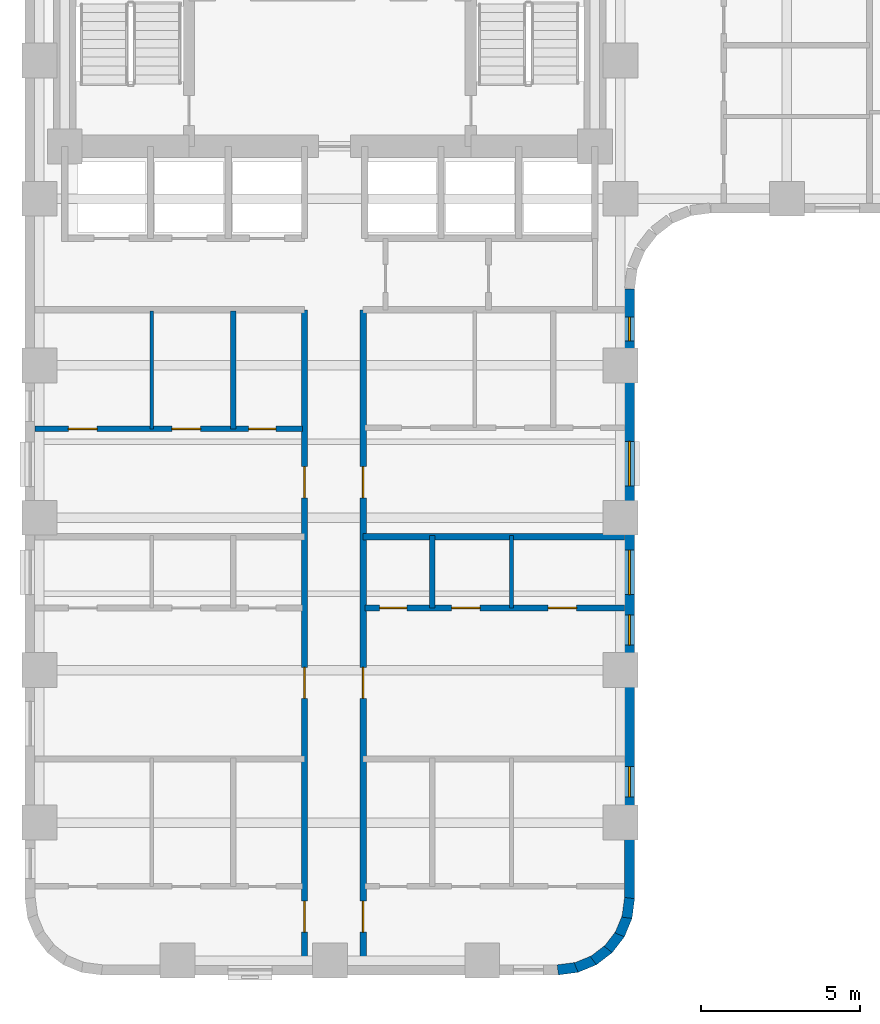
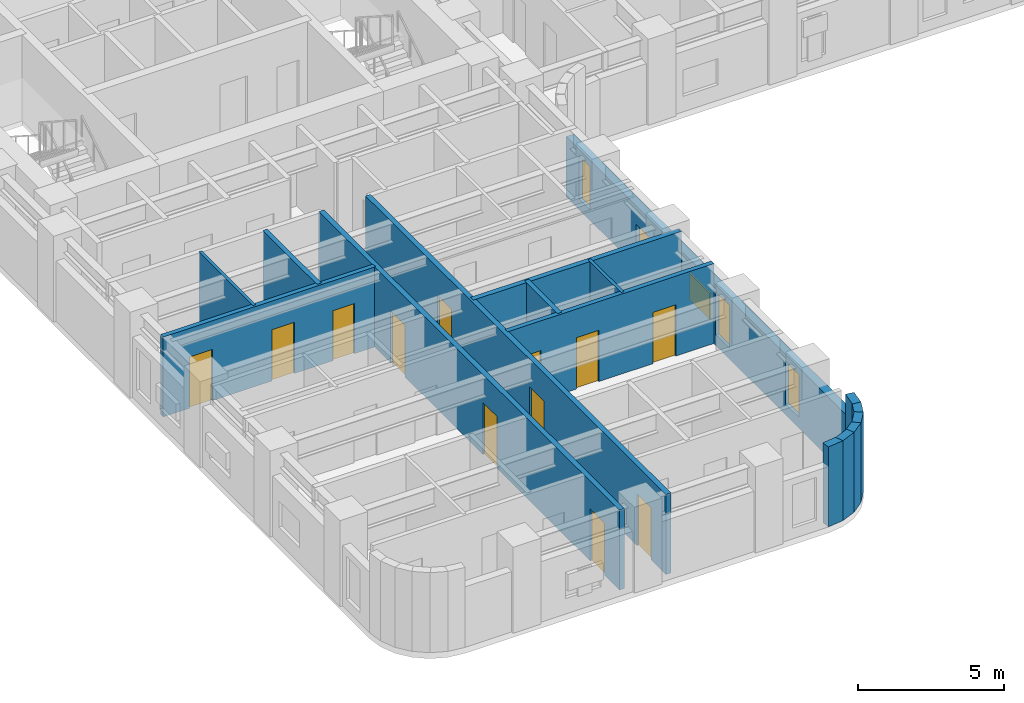
# One storey, part 3 of 11: 16 walls, 12 doors, 5 windows, 17 openings.
"""IFC4 building model written with IfcOpenShell, lengths in metres."""

from ifc_helpers import new_model, si_unit, direction, frame, frame_2d, origin, place, context, subcontext, project, spatial, rectangle, extrude, material, layer, layer_set, type_object, element, fill, save


model = new_model("IFC4")

# Units and contexts
model_context = context("Model", 3, precision=1e-05, world=origin(), true_north=direction((0.0, 1.0)))
body_context = subcontext(model_context, "Body", "Model", "MODEL_VIEW")
ifc_project = project(units=[si_unit("LENGTHUNIT", "METRE"), si_unit("AREAUNIT", "SQUARE_METRE"), si_unit("VOLUMEUNIT", "CUBIC_METRE"), si_unit("PLANEANGLEUNIT", "RADIAN"), si_unit("MASSUNIT", "GRAM", prefix="KILO")], contexts=[model_context])

# Site, building, storey
site_placement = place(None, origin())
site = spatial("IfcSite", under=ifc_project, at=site_placement, CompositionType="ELEMENT")
building_placement = place(site_placement, origin())
building = spatial("IfcBuilding", under=site, at=building_placement, Name="Orvandelia Arch Residences", CompositionType="ELEMENT")
storey_placement = place(building_placement, frame((0.0, 0.0, 25.0)))
storey = spatial("IfcBuildingStorey", under=building, at=storey_placement, Name="L05", CompositionType="ELEMENT", Elevation=25.0)

# Wall, openings, doors
ifc_material_1 = material(Name="Fire-Rated Corridor Partition")
ifc_layer_1 = layer(ifc_material_1, 0.199951171875, Name="Fire-Rated Corridor Partition")
ifc_layer_set_1 = layer_set([ifc_layer_1], Name="Fire-Rated Corridor Partition")
wall_type_1 = type_object("IfcWallType", Name="WL-CORR-200", PredefinedType="PARTITIONING", material=ifc_layer_set_1)
wall_1_placement = place(storey_placement, frame((13.60009765625, 5.1201171875, 0.0), z_axis=(0.0, 0.0, 1.0), x_axis=(0.0, 1.0, 0.0)))
wall_1 = element("IfcWall", 1, at=wall_1_placement, inside=storey, type_object=wall_type_1, Name="Interior Partition Wall WL-L05-WC-W", PredefinedType="PARTITIONING", context=body_context, shape_type="SweptSolid", body=[
    extrude(rectangle(XDim=20.6298828125, YDim=0.199951171875, at=frame_2d((10.31494140625, 0.0))), origin(), (0.0, 0.0, 1.0), 3.35009765625),
])
opening_1_placement = place(wall_1_placement, frame((1.02490234375, 0.0, 0.0)))
opening_1 = element("IfcOpeningElement", 2, at=opening_1_placement, cuts=wall_1, Name="Opening D1", PredefinedType="OPENING", context=body_context, shape_type="SweptSolid", body=[
    extrude(rectangle(XDim=0.97998046875, YDim=2.179931640625, at=frame_2d((0.489990234375, 1.08984375))), frame((0.0, 0.10986328125, 0.0), z_axis=(0.0, -1.0, 0.0), x_axis=(1.0, 0.0, 0.0)), (0.0, 0.0, 1.0), 0.219970703125),
])
opening_2_placement = place(wall_1_placement, frame((8.389892578125, 0.0, 0.0)))
opening_2 = element("IfcOpeningElement", 3, at=opening_2_placement, cuts=wall_1, Name="Opening D1", PredefinedType="OPENING", context=body_context, shape_type="SweptSolid", body=[
    extrude(rectangle(XDim=0.97998046875, YDim=2.179931640625, at=frame_2d((0.489990234375, 1.08984375))), frame((0.0, 0.10986328125, 0.0), z_axis=(0.0, -1.0, 0.0), x_axis=(1.0, 0.0, 0.0)), (0.0, 0.0, 1.0), 0.219970703125),
])
opening_3_placement = place(wall_1_placement, frame((14.7099609375, 0.0, 0.0)))
opening_3 = element("IfcOpeningElement", 4, at=opening_3_placement, cuts=wall_1, Name="Opening D1", PredefinedType="OPENING", context=body_context, shape_type="SweptSolid", body=[
    extrude(rectangle(XDim=0.97998046875, YDim=2.179931640625, at=frame_2d((0.489990234375, 1.08984375))), frame((0.0, 0.10986328125, 0.0), z_axis=(0.0, -1.0, 0.0), x_axis=(1.0, 0.0, 0.0)), (0.0, 0.0, 1.0), 0.219970703125),
])
ifc_material_2 = material(Name="Solid-Core Timber Acoustic Fire Door", Category="wood")
door_type_1 = type_object("IfcDoorType", Name="DR-ENT-980", OperationType="NOTDEFINED", PredefinedType="DOOR", material=ifc_material_2)
door_1_placement = place(opening_1_placement, origin())
door_1 = element("IfcDoor", 5, at=door_1_placement, inside=storey, type_object=door_type_1, Name="Unit L05-01 Entrance Door", OperationType="SINGLE_SWING_LEFT", OverallHeight=2.179931640625, OverallWidth=0.97998046875, PredefinedType="DOOR", context=body_context, shape_type="SweptSolid", body=[
    extrude(rectangle(XDim=0.97998046875, YDim=2.179931640625, at=frame_2d((0.489990234375, 1.08984375))), frame((0.0, 0.02490234375, 0.0), z_axis=(0.0, -1.0, 0.0), x_axis=(1.0, 0.0, 0.0)), (0.0, 0.0, 1.0), 0.050048828125),
])
fill(opening_1, door_1)
door_2_placement = place(opening_2_placement, origin())
door_2 = element("IfcDoor", 6, at=door_2_placement, inside=storey, type_object=door_type_1, Name="Unit L05-02 Entrance Door", OperationType="SINGLE_SWING_RIGHT", OverallHeight=2.179931640625, OverallWidth=0.97998046875, PredefinedType="DOOR", context=body_context, shape_type="SweptSolid", body=[
    extrude(rectangle(XDim=0.97998046875, YDim=2.179931640625, at=frame_2d((0.489990234375, 1.08984375))), frame((0.0, 0.02490234375, 0.0), z_axis=(0.0, -1.0, 0.0), x_axis=(1.0, 0.0, 0.0)), (0.0, 0.0, 1.0), 0.050048828125),
])
fill(opening_2, door_2)
door_3_placement = place(opening_3_placement, origin())
door_3 = element("IfcDoor", 7, at=door_3_placement, inside=storey, type_object=door_type_1, Name="Unit L05-03 Entrance Door", OperationType="SINGLE_SWING_LEFT", OverallHeight=2.179931640625, OverallWidth=0.97998046875, PredefinedType="DOOR", context=body_context, shape_type="SweptSolid", body=[
    extrude(rectangle(XDim=0.97998046875, YDim=2.179931640625, at=frame_2d((0.489990234375, 1.08984375))), frame((0.0, 0.02490234375, 0.0), z_axis=(0.0, -1.0, 0.0), x_axis=(1.0, 0.0, 0.0)), (0.0, 0.0, 1.0), 0.050048828125),
])
fill(opening_3, door_3)

wall_2_placement = place(storey_placement, frame((15.449951171875, 5.1201171875, 0.0), z_axis=(0.0, 0.0, 1.0), x_axis=(0.0, 1.0, 0.0)))
wall_2 = element("IfcWall", 8, at=wall_2_placement, inside=storey, type_object=wall_type_1, Name="Interior Partition Wall WL-L05-WC-E", PredefinedType="PARTITIONING", context=body_context, shape_type="SweptSolid", body=[
    extrude(rectangle(XDim=20.6298828125, YDim=0.199951171875, at=frame_2d((10.31494140625, 0.0))), origin(), (0.0, 0.0, 1.0), 3.35009765625),
])
opening_4_placement = place(wall_2_placement, frame((1.02490234375, 0.0, 0.0)))
opening_4 = element("IfcOpeningElement", 9, at=opening_4_placement, cuts=wall_2, Name="Opening D1", PredefinedType="OPENING", context=body_context, shape_type="SweptSolid", body=[
    extrude(rectangle(XDim=0.97998046875, YDim=2.179931640625, at=frame_2d((0.489990234375, 1.08984375))), frame((0.0, 0.10986328125, 0.0), z_axis=(0.0, -1.0, 0.0), x_axis=(1.0, 0.0, 0.0)), (0.0, 0.0, 1.0), 0.219970703125),
])
opening_5_placement = place(wall_2_placement, frame((8.389892578125, 0.0, 0.0)))
opening_5 = element("IfcOpeningElement", 10, at=opening_5_placement, cuts=wall_2, Name="Opening D1", PredefinedType="OPENING", context=body_context, shape_type="SweptSolid", body=[
    extrude(rectangle(XDim=0.97998046875, YDim=2.179931640625, at=frame_2d((0.489990234375, 1.08984375))), frame((0.0, 0.10986328125, 0.0), z_axis=(0.0, -1.0, 0.0), x_axis=(1.0, 0.0, 0.0)), (0.0, 0.0, 1.0), 0.219970703125),
])
opening_6_placement = place(wall_2_placement, frame((14.7099609375, 0.0, 0.0)))
opening_6 = element("IfcOpeningElement", 11, at=opening_6_placement, cuts=wall_2, Name="Opening D1", PredefinedType="OPENING", context=body_context, shape_type="SweptSolid", body=[
    extrude(rectangle(XDim=0.97998046875, YDim=2.179931640625, at=frame_2d((0.489990234375, 1.08984375))), frame((0.0, 0.10986328125, 0.0), z_axis=(0.0, -1.0, 0.0), x_axis=(1.0, 0.0, 0.0)), (0.0, 0.0, 1.0), 0.219970703125),
])
door_4_placement = place(opening_4_placement, origin())
door_4 = element("IfcDoor", 12, at=door_4_placement, inside=storey, type_object=door_type_1, Name="Unit L05-04 Entrance Door", OperationType="SINGLE_SWING_RIGHT", OverallHeight=2.179931640625, OverallWidth=0.97998046875, PredefinedType="DOOR", context=body_context, shape_type="SweptSolid", body=[
    extrude(rectangle(XDim=0.97998046875, YDim=2.179931640625, at=frame_2d((0.489990234375, 1.08984375))), frame((0.0, 0.02490234375, 0.0), z_axis=(0.0, -1.0, 0.0), x_axis=(1.0, 0.0, 0.0)), (0.0, 0.0, 1.0), 0.050048828125),
])
fill(opening_4, door_4)
door_5_placement = place(opening_5_placement, origin())
door_5 = element("IfcDoor", 13, at=door_5_placement, inside=storey, type_object=door_type_1, Name="Unit L05-05 Entrance Door", OperationType="SINGLE_SWING_LEFT", OverallHeight=2.179931640625, OverallWidth=0.97998046875, PredefinedType="DOOR", context=body_context, shape_type="SweptSolid", body=[
    extrude(rectangle(XDim=0.97998046875, YDim=2.179931640625, at=frame_2d((0.489990234375, 1.08984375))), frame((0.0, 0.02490234375, 0.0), z_axis=(0.0, -1.0, 0.0), x_axis=(1.0, 0.0, 0.0)), (0.0, 0.0, 1.0), 0.050048828125),
])
fill(opening_5, door_5)
door_6_placement = place(opening_6_placement, origin())
door_6 = element("IfcDoor", 14, at=door_6_placement, inside=storey, type_object=door_type_1, Name="Unit L05-06 Entrance Door", OperationType="SINGLE_SWING_RIGHT", OverallHeight=2.179931640625, OverallWidth=0.97998046875, PredefinedType="DOOR", context=body_context, shape_type="SweptSolid", body=[
    extrude(rectangle(XDim=0.97998046875, YDim=2.179931640625, at=frame_2d((0.489990234375, 1.08984375))), frame((0.0, 0.02490234375, 0.0), z_axis=(0.0, -1.0, 0.0), x_axis=(1.0, 0.0, 0.0)), (0.0, 0.0, 1.0), 0.050048828125),
])
fill(opening_6, door_6)

# Wall
ifc_material_3 = material(Name="Concrete C40/50", Category="concrete")
ifc_layer_2 = layer(ifc_material_3, 0.199951171875, Name="Concrete C40/50", Category="concrete")
ifc_layer_set_2 = layer_set([ifc_layer_2], Name="Concrete C40/50")
wall_type_2 = type_object("IfcWallType", Name="WL-DEM-200", PredefinedType="SOLIDWALL", material=ifc_layer_set_2)
wall_3_placement = place(storey_placement, frame((15.449951171875, 18.60009765625, 0.0), z_axis=(0.0, 0.0, 1.0), x_axis=(1.0, 0.0, 0.0)))
element("IfcWall", 15, at=wall_3_placement, inside=storey, type_object=wall_type_2, Name="Interior Partition Wall WL-L05-DEM-WR-186", PredefinedType="SOLIDWALL", context=body_context, shape_type="SweptSolid", body=[
    extrude(rectangle(XDim=8.22998046875, YDim=0.199951171875, at=frame_2d((4.114990234375, 0.0))), origin(), (0.0, 0.0, 1.0), 3.35009765625),
])

# Wall, openings, windows
ifc_material_4 = material(Name="Precast concrete C40/50", Category="concrete")
ifc_layer_3 = layer(ifc_material_4, 0.320068359375, Name="Precast concrete C40/50", Category="concrete")
ifc_layer_set_3 = layer_set([ifc_layer_3], Name="Precast concrete C40/50")
wall_type_3 = type_object("IfcWallType", Name="WL-EXT-STONE-320", PredefinedType="STANDARD", material=ifc_layer_set_3)
wall_4_placement = place(storey_placement, frame((23.840087890625, 26.39990234375, 0.0), z_axis=(0.0, 0.0, 1.0), x_axis=(0.0, -1.0, 0.0)))
wall_4 = element("IfcWall", 16, at=wall_4_placement, inside=storey, type_object=wall_type_3, Name="Coral-Limestone Precast Facade Wall L05-028", PredefinedType="STANDARD", context=body_context, shape_type="SweptSolid", body=[
    extrude(rectangle(XDim=19.199951171875, YDim=0.320068359375, at=frame_2d((9.60009765625, 0.0))), origin(), (0.0, 0.0, 1.0), 2.530029296875),
])
opening_7_placement = place(wall_4_placement, frame((15.0400390625, 0.0, 0.449951171875)))
opening_7 = element("IfcOpeningElement", 17, at=opening_7_placement, cuts=wall_4, Name="Opening W4", PredefinedType="OPENING", context=body_context, shape_type="SweptSolid", body=[
    extrude(rectangle(XDim=0.949951171875, YDim=1.800048828125, at=frame_2d((0.47509765625, 0.89990234375))), frame((0.0, 0.169921875, 0.0), z_axis=(0.0, -1.0, 0.0), x_axis=(1.0, 0.0, 0.0)), (0.0, 0.0, 1.0), 0.340087890625),
])
opening_8_placement = place(wall_4_placement, frame((8.219970703125, 0.0, 0.64990234375)))
opening_8 = element("IfcOpeningElement", 18, at=opening_8_placement, cuts=wall_4, Name="Opening W10", PredefinedType="OPENING", context=body_context, shape_type="SweptSolid", body=[
    extrude(rectangle(XDim=1.39990234375, YDim=1.10009765625, at=frame_2d((0.699951171875, 0.550048828125))), frame((0.0, 0.169921875, 0.0), z_axis=(0.0, -1.0, 0.0), x_axis=(1.0, 0.0, 0.0)), (0.0, 0.0, 1.0), 0.340087890625),
])
opening_9_placement = place(wall_4_placement, frame((4.794921875, 0.0, 0.64990234375)))
opening_9 = element("IfcOpeningElement", 19, at=opening_9_placement, cuts=wall_4, Name="Opening W10", PredefinedType="OPENING", context=body_context, shape_type="SweptSolid", body=[
    extrude(rectangle(XDim=1.39990234375, YDim=1.10009765625, at=frame_2d((0.699951171875, 0.550048828125))), frame((0.0, 0.169921875, 0.0), z_axis=(0.0, -1.0, 0.0), x_axis=(1.0, 0.0, 0.0)), (0.0, 0.0, 1.0), 0.340087890625),
])
opening_10_placement = place(wall_4_placement, frame((10.260009765625, 0.0, 0.449951171875)))
opening_10 = element("IfcOpeningElement", 20, at=opening_10_placement, cuts=wall_4, Name="Opening W4", PredefinedType="OPENING", context=body_context, shape_type="SweptSolid", body=[
    extrude(rectangle(XDim=0.949951171875, YDim=1.800048828125, at=frame_2d((0.47509765625, 0.89990234375))), frame((0.0, 0.169921875, 0.0), z_axis=(0.0, -1.0, 0.0), x_axis=(1.0, 0.0, 0.0)), (0.0, 0.0, 1.0), 0.340087890625),
])
opening_11_placement = place(wall_4_placement, frame((0.8798828125, 0.0, 0.449951171875)))
opening_11 = element("IfcOpeningElement", 21, at=opening_11_placement, cuts=wall_4, Name="Opening W11", PredefinedType="OPENING", context=body_context, shape_type="SweptSolid", body=[
    extrude(rectangle(XDim=0.75, YDim=1.800048828125, at=frame_2d((0.375, 0.89990234375))), frame((0.0, 0.169921875, 0.0), z_axis=(0.0, -1.0, 0.0), x_axis=(1.0, 0.0, 0.0)), (0.0, 0.0, 1.0), 0.340087890625),
])
ifc_material_5 = material(Name="Tempered Low-E Insulated Glazing", Category="glass")
window_type_1 = type_object("IfcWindowType", Name="WIN-BED-0750x1800", PartitioningType="SINGLE_PANEL", PredefinedType="WINDOW", material=ifc_material_5)
window_1_placement = place(opening_11_placement, origin())
window_1 = element("IfcWindow", 22, at=window_1_placement, inside=storey, type_object=window_type_1, Name="Recessed Punched Window L05-026", OverallHeight=1.800048828125, OverallWidth=0.75, PartitioningType="SINGLE_PANEL", PredefinedType="WINDOW", context=body_context, shape_type="SweptSolid", body=[
    extrude(rectangle(XDim=0.75, YDim=1.800048828125, at=frame_2d((0.375, 0.89990234375))), frame((0.0, 0.030029296875, 0.0), z_axis=(0.0, -1.0, 0.0), x_axis=(1.0, 0.0, 0.0)), (0.0, 0.0, 1.0), 0.06005859375),
])
fill(opening_11, window_1)
window_type_2 = type_object("IfcWindowType", Name="WIN-CLR-1400x1100", PartitioningType="SINGLE_PANEL", PredefinedType="WINDOW", material=ifc_material_5)
window_2_placement = place(opening_8_placement, origin())
window_2 = element("IfcWindow", 23, at=window_2_placement, inside=storey, type_object=window_type_2, Name="Recessed Punched Window L05-023", OverallHeight=1.10009765625, OverallWidth=1.39990234375, PartitioningType="SINGLE_PANEL", PredefinedType="WINDOW", context=body_context, shape_type="SweptSolid", body=[
    extrude(rectangle(XDim=1.39990234375, YDim=1.10009765625, at=frame_2d((0.699951171875, 0.550048828125))), frame((0.0, 0.030029296875, 0.0), z_axis=(0.0, -1.0, 0.0), x_axis=(1.0, 0.0, 0.0)), (0.0, 0.0, 1.0), 0.06005859375),
])
fill(opening_8, window_2)
window_3_placement = place(opening_9_placement, origin())
window_3 = element("IfcWindow", 24, at=window_3_placement, inside=storey, type_object=window_type_2, Name="Recessed Punched Window L05-024", OverallHeight=1.10009765625, OverallWidth=1.39990234375, PartitioningType="SINGLE_PANEL", PredefinedType="WINDOW", context=body_context, shape_type="SweptSolid", body=[
    extrude(rectangle(XDim=1.39990234375, YDim=1.10009765625, at=frame_2d((0.699951171875, 0.550048828125))), frame((0.0, 0.030029296875, 0.0), z_axis=(0.0, -1.0, 0.0), x_axis=(1.0, 0.0, 0.0)), (0.0, 0.0, 1.0), 0.06005859375),
])
fill(opening_9, window_3)
window_type_3 = type_object("IfcWindowType", Name="WIN-RES-0950x1800", PartitioningType="SINGLE_PANEL", PredefinedType="WINDOW", material=ifc_material_5)
window_4_placement = place(opening_7_placement, origin())
window_4 = element("IfcWindow", 25, at=window_4_placement, inside=storey, type_object=window_type_3, Name="Recessed Punched Window L05-022", OverallHeight=1.800048828125, OverallWidth=0.949951171875, PartitioningType="SINGLE_PANEL", PredefinedType="WINDOW", context=body_context, shape_type="SweptSolid", body=[
    extrude(rectangle(XDim=0.949951171875, YDim=1.800048828125, at=frame_2d((0.47509765625, 0.89990234375))), frame((0.0, 0.030029296875, 0.0), z_axis=(0.0, -1.0, 0.0), x_axis=(1.0, 0.0, 0.0)), (0.0, 0.0, 1.0), 0.06005859375),
])
fill(opening_7, window_4)
window_5_placement = place(opening_10_placement, origin())
window_5 = element("IfcWindow", 26, at=window_5_placement, inside=storey, type_object=window_type_3, Name="Recessed Punched Window L05-025", OverallHeight=1.800048828125, OverallWidth=0.949951171875, PartitioningType="SINGLE_PANEL", PredefinedType="WINDOW", context=body_context, shape_type="SweptSolid", body=[
    extrude(rectangle(XDim=0.949951171875, YDim=1.800048828125, at=frame_2d((0.47509765625, 0.89990234375))), frame((0.0, 0.030029296875, 0.0), z_axis=(0.0, -1.0, 0.0), x_axis=(1.0, 0.0, 0.0)), (0.0, 0.0, 1.0), 0.06005859375),
])
fill(opening_10, window_5)

# Walls
wall_5_placement = place(storey_placement, frame((23.84130859375, 7.220947265625, 0.0), z_axis=(0.0, 0.0, 1.0), x_axis=(-0.130504898859, -0.991447664465, 0.0)))
element("IfcWall", 27, at=wall_5_placement, inside=storey, type_object=wall_type_3, Name="Coral-Limestone Precast Facade Wall L05-029", PredefinedType="STANDARD", context=body_context, shape_type="SweptSolid", body=[
    extrude(rectangle(XDim=0.626708984375, YDim=0.320068359375, at=frame_2d((0.3134765625, 0.0))), origin(), (0.0, 0.0, 1.0), 3.35009765625),
])
wall_6_placement = place(storey_placement, frame((23.7705078125, 6.639892578125, 0.0), z_axis=(0.0, 0.0, 1.0), x_axis=(-0.382787856107, -0.923836271867, 0.0)))
element("IfcWall", 28, at=wall_6_placement, inside=storey, type_object=wall_type_3, Name="Coral-Limestone Precast Facade Wall L05-030", PredefinedType="STANDARD", context=body_context, shape_type="SweptSolid", body=[
    extrude(rectangle(XDim=0.626220703125, YDim=0.320068359375, at=frame_2d((0.31298828125, 0.0))), origin(), (0.0, 0.0, 1.0), 3.35009765625),
])
wall_7_placement = place(storey_placement, frame((23.551513671875, 6.097412109375, 0.0), z_axis=(0.0, 0.0, 1.0), x_axis=(-0.608693302629, -0.793405610854, 0.0)))
element("IfcWall", 29, at=wall_7_placement, inside=storey, type_object=wall_type_3, Name="Coral-Limestone Precast Facade Wall L05-031", PredefinedType="STANDARD", context=body_context, shape_type="SweptSolid", body=[
    extrude(rectangle(XDim=0.62646484375, YDim=0.320068359375, at=frame_2d((0.313232421875, 0.0))), origin(), (0.0, 0.0, 1.0), 3.35009765625),
])
wall_8_placement = place(storey_placement, frame((23.19970703125, 5.6298828125, 0.0), z_axis=(0.0, 0.0, 1.0), x_axis=(-0.7932174212, -0.608938521285, 0.0)))
element("IfcWall", 30, at=wall_8_placement, inside=storey, type_object=wall_type_3, Name="Coral-Limestone Precast Facade Wall L05-032", PredefinedType="STANDARD", context=body_context, shape_type="SweptSolid", body=[
    extrude(rectangle(XDim=0.626708984375, YDim=0.320068359375, at=frame_2d((0.3134765625, 0.0))), origin(), (0.0, 0.0, 1.0), 3.35009765625),
])
for number, where, z_axis, x_axis, name in (
    (31, (22.73876953125, 5.269287109375, 0.0), (0.0, 0.0, 1.0), (-0.92389335771, -0.382650053678, 0.0), "Coral-Limestone Precast Facade Wall L05-033"),
    (32, (22.2001953125, 5.040283203125, 0.0), (0.0, 0.0, 1.0), (-0.9914410257, -0.130555323746, 0.0), "Coral-Limestone Precast Facade Wall L05-034"),
):
    element("IfcWall", number, at=place(storey_placement, frame(where, z_axis=z_axis, x_axis=x_axis)), inside=storey, type_object=wall_type_3, Name=name, PredefinedType="STANDARD", context=body_context, shape_type="SweptSolid", body=[
        extrude(rectangle(XDim=0.62646484375, YDim=0.320068359375, at=frame_2d((0.313232421875, 0.0))), origin(), (0.0, 0.0, 1.0), 3.35009765625),
    ])
ifc_material_6 = material(Name="Lightweight Gypsum Stud Partition")
ifc_layer_4 = layer(ifc_material_6, 0.1201171875, Name="Lightweight Gypsum Stud Partition")
ifc_layer_set_4 = layer_set([ifc_layer_4], Name="Lightweight Gypsum Stud Partition")
wall_type_4 = type_object("IfcWallType", Name="WL-PART-120", PredefinedType="PARTITIONING", material=ifc_layer_set_4)
wall_9_placement = place(storey_placement, frame((8.791015625, 22.0, 0.0), z_axis=(0.0, 0.0, 1.0), x_axis=(0.0, 1.0, 0.0)))
element("IfcWall", 33, at=wall_9_placement, inside=storey, type_object=wall_type_4, Name="Interior Partition Wall WL-L05-U03-V1", PredefinedType="PARTITIONING", context=body_context, shape_type="SweptSolid", body=[
    extrude(rectangle(XDim=3.719970703125, YDim=0.1201171875, at=frame_2d((1.85986328125, 0.0))), origin(), (0.0, 0.0, 1.0), 3.35009765625),
])
wall_10_placement = place(storey_placement, frame((20.118896484375, 16.360107421875, 0.0), z_axis=(0.0, 0.0, 1.0), x_axis=(0.0, 1.0, 0.0)))
element("IfcWall", 34, at=wall_10_placement, inside=storey, type_object=wall_type_4, Name="Interior Partition Wall WL-L05-U05-V2", PredefinedType="PARTITIONING", context=body_context, shape_type="SweptSolid", body=[
    extrude(rectangle(XDim=2.27978515625, YDim=0.1201171875, at=frame_2d((1.139892578125, 0.0))), origin(), (0.0, 0.0, 1.0), 3.35009765625),
])

# Wall, openings, doors
ifc_material_7 = material(Name="Moisture-Resistant Plumbing Wall")
ifc_layer_5 = layer(ifc_material_7, 0.179931640625, Name="Moisture-Resistant Plumbing Wall")
ifc_layer_set_5 = layer_set([ifc_layer_5], Name="Moisture-Resistant Plumbing Wall")
wall_type_5 = type_object("IfcWallType", Name="WL-WET-180", PredefinedType="PLUMBINGWALL", material=ifc_layer_set_5)
wall_11_placement = place(storey_placement, frame((5.1201171875, 22.0, 0.0), z_axis=(0.0, 0.0, 1.0), x_axis=(1.0, 0.0, 0.0)))
wall_11 = element("IfcWall", 35, at=wall_11_placement, inside=storey, type_object=wall_type_5, Name="Interior Partition Wall WL-L05-U03-HZ", PredefinedType="PLUMBINGWALL", context=body_context, shape_type="SweptSolid", body=[
    extrude(rectangle(XDim=8.419921875, YDim=0.179931640625, at=frame_2d((4.2099609375, 0.0))), origin(), (0.0, 0.0, 1.0), 3.35009765625),
])
opening_12_placement = place(wall_11_placement, frame((1.04638671875, 0.0, 0.0)))
opening_12 = element("IfcOpeningElement", 36, at=opening_12_placement, cuts=wall_11, Name="Opening D3", PredefinedType="OPENING", context=body_context, shape_type="SweptSolid", body=[
    extrude(rectangle(XDim=0.89990234375, YDim=2.14990234375, at=frame_2d((0.449951171875, 1.074951171875))), frame((0.0, 0.10009765625, 0.0), z_axis=(0.0, -1.0, 0.0), x_axis=(1.0, 0.0, 0.0)), (0.0, 0.0, 1.0), 0.199951171875),
])
opening_13_placement = place(wall_11_placement, frame((4.307373046875, 0.0, 0.0)))
opening_13 = element("IfcOpeningElement", 37, at=opening_13_placement, cuts=wall_11, Name="Opening D3", PredefinedType="OPENING", context=body_context, shape_type="SweptSolid", body=[
    extrude(rectangle(XDim=0.89990234375, YDim=2.14990234375, at=frame_2d((0.449951171875, 1.074951171875))), frame((0.0, 0.10009765625, 0.0), z_axis=(0.0, -1.0, 0.0), x_axis=(1.0, 0.0, 0.0)), (0.0, 0.0, 1.0), 0.199951171875),
])
opening_14_placement = place(wall_11_placement, frame((6.723388671875, 0.0, 0.0)))
opening_14 = element("IfcOpeningElement", 38, at=opening_14_placement, cuts=wall_11, Name="Opening D4", PredefinedType="OPENING", context=body_context, shape_type="SweptSolid", body=[
    extrude(rectangle(XDim=0.860107421875, YDim=2.10009765625, at=frame_2d((0.43017578125, 1.050048828125))), frame((0.0, 0.10009765625, 0.0), z_axis=(0.0, -1.0, 0.0), x_axis=(1.0, 0.0, 0.0)), (0.0, 0.0, 1.0), 0.199951171875),
])
ifc_material_8 = material(Name="Engineered Timber Flush Door", Category="wood")
door_type_2 = type_object("IfcDoorType", Name="DR-INT-900", OperationType="NOTDEFINED", PredefinedType="DOOR", material=ifc_material_8)
door_7_placement = place(opening_12_placement, origin())
door_7 = element("IfcDoor", 39, at=door_7_placement, inside=storey, type_object=door_type_2, Name="DR-L05-U03-BD1", OperationType="SINGLE_SWING_LEFT", OverallHeight=2.14990234375, OverallWidth=0.89990234375, PredefinedType="DOOR", context=body_context, shape_type="SweptSolid", body=[
    extrude(rectangle(XDim=0.89990234375, YDim=2.14990234375, at=frame_2d((0.449951171875, 1.074951171875))), frame((0.0, 0.02490234375, 0.0), z_axis=(0.0, -1.0, 0.0), x_axis=(1.0, 0.0, 0.0)), (0.0, 0.0, 1.0), 0.050048828125),
])
fill(opening_12, door_7)
door_8_placement = place(opening_13_placement, origin())
door_8 = element("IfcDoor", 40, at=door_8_placement, inside=storey, type_object=door_type_2, Name="DR-L05-U03-KIT", OperationType="SINGLE_SWING_RIGHT", OverallHeight=2.14990234375, OverallWidth=0.89990234375, PredefinedType="DOOR", context=body_context, shape_type="SweptSolid", body=[
    extrude(rectangle(XDim=0.89990234375, YDim=2.14990234375, at=frame_2d((0.449951171875, 1.074951171875))), frame((0.0, 0.02490234375, 0.0), z_axis=(0.0, -1.0, 0.0), x_axis=(1.0, 0.0, 0.0)), (0.0, 0.0, 1.0), 0.050048828125),
])
fill(opening_13, door_8)
ifc_material_9 = material(Name="Moisture-Sealed Timber Bathroom Door", Category="wood")
door_type_3 = type_object("IfcDoorType", Name="DR-WET-900", OperationType="NOTDEFINED", PredefinedType="DOOR", material=ifc_material_9)
door_9_placement = place(opening_14_placement, origin())
door_9 = element("IfcDoor", 41, at=door_9_placement, inside=storey, type_object=door_type_3, Name="DR-L05-U03-BTH", OperationType="SINGLE_SWING_LEFT", OverallHeight=2.10009765625, OverallWidth=0.860107421875, PredefinedType="DOOR", context=body_context, shape_type="SweptSolid", body=[
    extrude(rectangle(XDim=0.860107421875, YDim=2.10009765625, at=frame_2d((0.43017578125, 1.050048828125))), frame((0.0, 0.02490234375, 0.0), z_axis=(0.0, -1.0, 0.0), x_axis=(1.0, 0.0, 0.0)), (0.0, 0.0, 1.0), 0.050048828125),
])
fill(opening_14, door_9)

# Wall
wall_12_placement = place(storey_placement, frame((11.35498046875, 22.0, 0.0), z_axis=(0.0, 0.0, 1.0), x_axis=(0.0, 1.0, 0.0)))
element("IfcWall", 42, at=wall_12_placement, inside=storey, type_object=wall_type_5, Name="Interior Partition Wall WL-L05-U03-V2", PredefinedType="PLUMBINGWALL", context=body_context, shape_type="SweptSolid", body=[
    extrude(rectangle(XDim=3.719970703125, YDim=0.179931640625, at=frame_2d((1.85986328125, 0.0))), origin(), (0.0, 0.0, 1.0), 3.35009765625),
])

# Wall, openings, doors
wall_13_placement = place(storey_placement, frame((15.510009765625, 16.360107421875, 0.0), z_axis=(0.0, 0.0, 1.0), x_axis=(1.0, 0.0, 0.0)))
wall_13 = element("IfcWall", 43, at=wall_13_placement, inside=storey, type_object=wall_type_5, Name="Interior Partition Wall WL-L05-U05-HZ", PredefinedType="PLUMBINGWALL", context=body_context, shape_type="SweptSolid", body=[
    extrude(rectangle(XDim=8.169921875, YDim=0.179931640625, at=frame_2d((4.0849609375, 0.0))), origin(), (0.0, 0.0, 1.0), 3.35009765625),
])
opening_15_placement = place(wall_13_placement, frame((0.458984375, 0.0, 0.0)))
opening_15 = element("IfcOpeningElement", 44, at=opening_15_placement, cuts=wall_13, Name="Opening D4", PredefinedType="OPENING", context=body_context, shape_type="SweptSolid", body=[
    extrude(rectangle(XDim=0.860107421875, YDim=2.10009765625, at=frame_2d((0.43017578125, 1.050048828125))), frame((0.0, 0.10009765625, 0.0), z_axis=(0.0, -1.0, 0.0), x_axis=(1.0, 0.0, 0.0)), (0.0, 0.0, 1.0), 0.199951171875),
])
opening_16_placement = place(wall_13_placement, frame((2.722412109375, 0.0, 0.0)))
opening_16 = element("IfcOpeningElement", 45, at=opening_16_placement, cuts=wall_13, Name="Opening D3", PredefinedType="OPENING", context=body_context, shape_type="SweptSolid", body=[
    extrude(rectangle(XDim=0.89990234375, YDim=2.14990234375, at=frame_2d((0.449951171875, 1.074951171875))), frame((0.0, 0.10009765625, 0.0), z_axis=(0.0, -1.0, 0.0), x_axis=(1.0, 0.0, 0.0)), (0.0, 0.0, 1.0), 0.199951171875),
])
opening_17_placement = place(wall_13_placement, frame((5.76611328125, 0.0, 0.0)))
opening_17 = element("IfcOpeningElement", 46, at=opening_17_placement, cuts=wall_13, Name="Opening D3", PredefinedType="OPENING", context=body_context, shape_type="SweptSolid", body=[
    extrude(rectangle(XDim=0.89990234375, YDim=2.14990234375, at=frame_2d((0.449951171875, 1.074951171875))), frame((0.0, 0.10009765625, 0.0), z_axis=(0.0, -1.0, 0.0), x_axis=(1.0, 0.0, 0.0)), (0.0, 0.0, 1.0), 0.199951171875),
])
door_10_placement = place(opening_16_placement, origin())
door_10 = element("IfcDoor", 47, at=door_10_placement, inside=storey, type_object=door_type_2, Name="DR-L05-U05-KIT", OperationType="SINGLE_SWING_LEFT", OverallHeight=2.14990234375, OverallWidth=0.89990234375, PredefinedType="DOOR", context=body_context, shape_type="SweptSolid", body=[
    extrude(rectangle(XDim=0.89990234375, YDim=2.14990234375, at=frame_2d((0.449951171875, 1.074951171875))), frame((0.0, 0.02490234375, 0.0), z_axis=(0.0, -1.0, 0.0), x_axis=(1.0, 0.0, 0.0)), (0.0, 0.0, 1.0), 0.050048828125),
])
fill(opening_16, door_10)
door_11_placement = place(opening_17_placement, origin())
door_11 = element("IfcDoor", 48, at=door_11_placement, inside=storey, type_object=door_type_2, Name="DR-L05-U05-BD1", OperationType="SINGLE_SWING_RIGHT", OverallHeight=2.14990234375, OverallWidth=0.89990234375, PredefinedType="DOOR", context=body_context, shape_type="SweptSolid", body=[
    extrude(rectangle(XDim=0.89990234375, YDim=2.14990234375, at=frame_2d((0.449951171875, 1.074951171875))), frame((0.0, 0.02490234375, 0.0), z_axis=(0.0, -1.0, 0.0), x_axis=(1.0, 0.0, 0.0)), (0.0, 0.0, 1.0), 0.050048828125),
])
fill(opening_17, door_11)
door_12_placement = place(opening_15_placement, origin())
door_12 = element("IfcDoor", 49, at=door_12_placement, inside=storey, type_object=door_type_3, Name="DR-L05-U05-BTH", OperationType="SINGLE_SWING_RIGHT", OverallHeight=2.10009765625, OverallWidth=0.860107421875, PredefinedType="DOOR", context=body_context, shape_type="SweptSolid", body=[
    extrude(rectangle(XDim=0.860107421875, YDim=2.10009765625, at=frame_2d((0.43017578125, 1.050048828125))), frame((0.0, 0.02490234375, 0.0), z_axis=(0.0, -1.0, 0.0), x_axis=(1.0, 0.0, 0.0)), (0.0, 0.0, 1.0), 0.050048828125),
])
fill(opening_15, door_12)

# Wall
wall_14_placement = place(storey_placement, frame((17.6298828125, 16.360107421875, 0.0), z_axis=(0.0, 0.0, 1.0), x_axis=(0.0, 1.0, 0.0)))
element("IfcWall", 50, at=wall_14_placement, inside=storey, type_object=wall_type_5, Name="Interior Partition Wall WL-L05-U05-V1", PredefinedType="PLUMBINGWALL", context=body_context, shape_type="SweptSolid", body=[
    extrude(rectangle(XDim=2.27978515625, YDim=0.179931640625, at=frame_2d((1.139892578125, 0.0))), origin(), (0.0, 0.0, 1.0), 3.35009765625),
])

save(model, "model.ifc")
